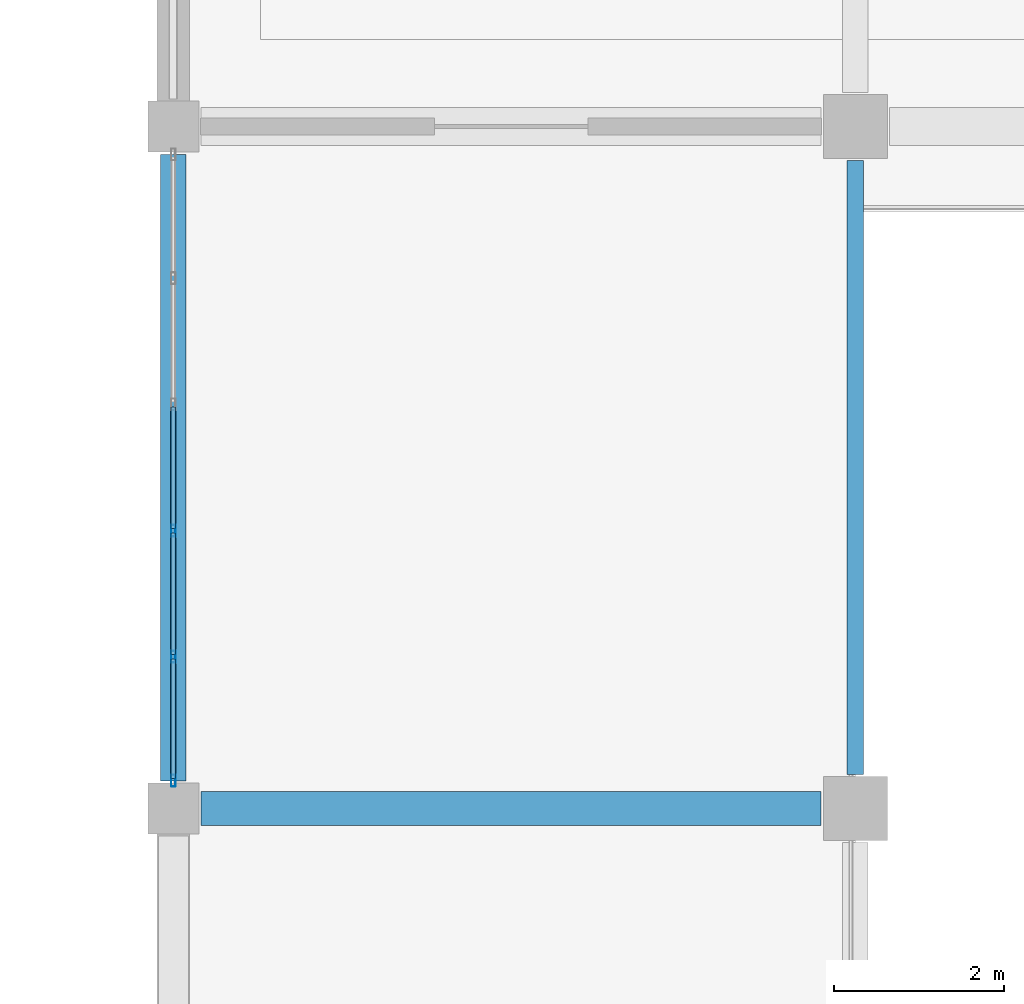
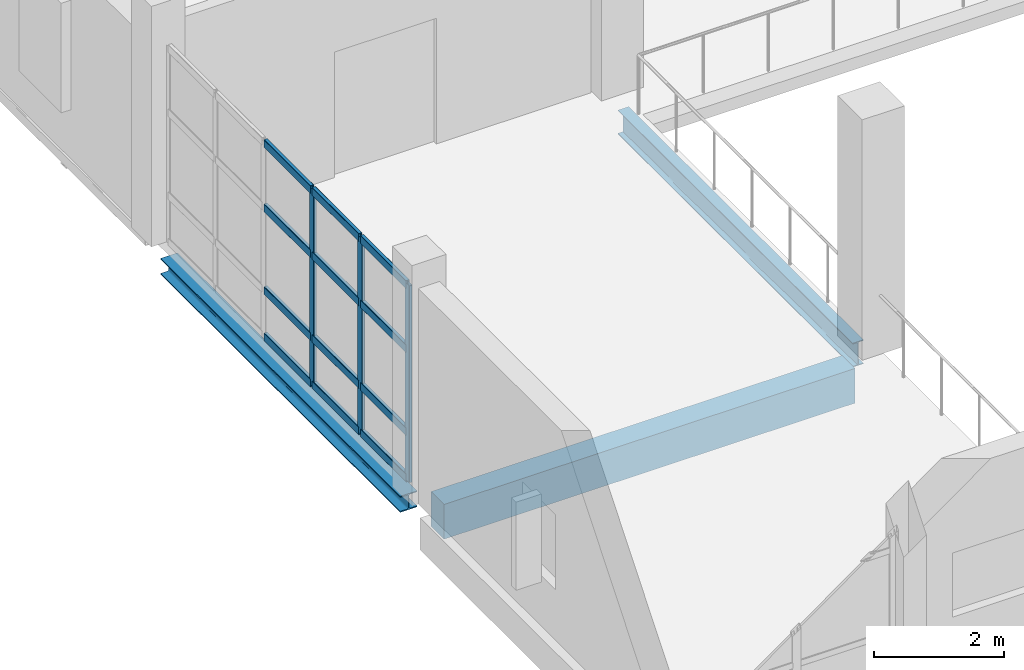
# One storey, part 106 of 183: 15 members, 3 beams, 1 element without a shape of its own.
"""IFC4 building model written with IfcOpenShell, lengths in metres."""

from ifc_helpers import new_model, si_unit, direction, frame, origin, origin_2d, place, context, subcontext, project, spatial, rectangle, hollow_rectangle, i_section, extrude, material, material_profile, profile_set, type_object, element, aggregate, save


model = new_model("IFC4")

# Units and contexts
model_context = context("Model", 3, precision=1e-05, world=origin(), true_north=direction((0.0, 1.0)))
body_context = subcontext(model_context, "Body", "Model", "MODEL_VIEW")
ifc_project = project(units=[si_unit("LENGTHUNIT", "METRE"), si_unit("AREAUNIT", "SQUARE_METRE"), si_unit("VOLUMEUNIT", "CUBIC_METRE"), si_unit("PLANEANGLEUNIT", "RADIAN"), si_unit("MASSUNIT", "GRAM", prefix="KILO")], contexts=[model_context])

# Site, building, storey
site_placement = place(None, origin())
site = spatial("IfcSite", under=ifc_project, at=site_placement, CompositionType="ELEMENT")
building_placement = place(site_placement, origin())
building = spatial("IfcBuilding", under=site, at=building_placement, Name="Luwemba Playhouse", CompositionType="ELEMENT")
storey_placement = place(building_placement, frame((0.0, 0.0, 4.800048828125)))
storey = spatial("IfcBuildingStorey", under=building, at=storey_placement, Name="L01", CompositionType="ELEMENT", Elevation=4.800048828125)

# Beams
ifc_material_1 = material(Name="Concrete C40/50", Category="concrete")
ifc_material_profile_1 = material_profile(ifc_material_1, rectangle(XDim=0.39990234375, YDim=0.64990234375, at=origin_2d()))
ifc_profile_set_1 = profile_set([ifc_material_profile_1], Name="Concrete C40/50")
beam_type_1 = type_object("IfcBeamType", Name="BM-RB02", PredefinedType="BEAM", material=ifc_profile_set_1)
beam_1_placement = place(storey_placement, frame((132.324951171875, 76.0, -0.574951171875), z_axis=(1.0, 0.0, 0.0), x_axis=(0.0, 1.0, 0.0)))
element("IfcBeam", 1, at=beam_1_placement, inside=storey, type_object=beam_type_1, Name="L01 grid girder 0441", PredefinedType="BEAM", context=body_context, shape_type="SweptSolid", body=[
    extrude(rectangle(XDim=0.39990234375, YDim=0.64990234375, at=origin_2d()), origin(), (0.0, 0.0, 1.0), 7.275146484375),
])
ifc_material_2 = material(Name="Steel S355", Category="steel")
ifc_material_profile_2 = material_profile(ifc_material_2, i_section(OverallWidth=0.18994140625, OverallDepth=0.449951171875, WebThickness=0.009521484375, FlangeThickness=0.0146484375, FilletRadius=0.02099609375, at=origin_2d()))
ifc_profile_set_2 = profile_set([ifc_material_profile_2], Name="Steel S355")
beam_type_2 = type_object("IfcBeamType", Name="BM-SB06", PredefinedType="BEAM", material=ifc_profile_set_2)
beam_2_placement = place(storey_placement, frame((140.0, 76.39990234375, -0.47509765625), z_axis=(0.0, 1.0, 0.0), x_axis=(-1.0, 0.0, 0.0)))
element("IfcBeam", 2, at=beam_2_placement, inside=storey, type_object=beam_type_2, Name="L01 transverse girder 0457", PredefinedType="BEAM", context=body_context, shape_type="SweptSolid", body=[
    extrude(i_section(OverallWidth=0.18994140625, OverallDepth=0.449951171875, WebThickness=0.009521484375, FlangeThickness=0.0146484375, FilletRadius=0.02099609375, at=origin_2d()), origin(), (0.0, 0.0, 1.0), 7.2001953125),
])
ifc_material_profile_3 = material_profile(ifc_material_2, i_section(OverallWidth=0.300048828125, OverallDepth=0.300048828125, WebThickness=0.010986328125, FlangeThickness=0.01904296875, FilletRadius=0.027099609375, at=origin_2d()))
ifc_profile_set_3 = profile_set([ifc_material_profile_3], Name="Steel S355")
beam_type_3 = type_object("IfcBeamType", Name="BM-SSP1", PredefinedType="SPANDREL", material=ifc_profile_set_3)
beam_3_placement = place(storey_placement, frame((132.0, 76.324951171875, -0.400146484375), z_axis=(0.0, 1.0, 0.0), x_axis=(-1.0, 0.0, 0.0)))
element("IfcBeam", 3, at=beam_3_placement, inside=storey, type_object=beam_type_3, Name="L01 transverse girder 0454", PredefinedType="SPANDREL", context=body_context, shape_type="SweptSolid", body=[
    extrude(i_section(OverallWidth=0.300048828125, OverallDepth=0.300048828125, WebThickness=0.010986328125, FlangeThickness=0.01904296875, FilletRadius=0.027099609375, at=origin_2d()), origin(), (0.0, 0.0, 1.0), 7.35009765625),
])

# Curtain wall, members
ifc_material_3 = material(Name="Solar-control double glazing", Category="glass")
curtain_wall_type = type_object("IfcCurtainWallType", Name="CW-CW82", PredefinedType="USERDEFINED", material=ifc_material_3)
curtain_wall_placement = place(storey_placement, origin())
curtain_wall = element("IfcCurtainWall", 4, at=curtain_wall_placement, inside=storey, type_object=curtain_wall_type, Name="L01 V4 unitised curtain wall 112", ObjectType="UNITISED GLAZING", PredefinedType="USERDEFINED")
ifc_material_4 = material(Name="Aluminium 6063-T6", Category="aluminium")
ifc_material_profile_4 = material_profile(ifc_material_4, hollow_rectangle(XDim=0.054931640625, YDim=0.139892578125, WallThickness=0.00390625, InnerFilletRadius=0.006103515625, OuterFilletRadius=0.010009765625, at=origin_2d()))
ifc_profile_set_4 = profile_set([ifc_material_profile_4], Name="Aluminium 6063-T6")
member_type_1 = type_object("IfcMemberType", Name="CWM-M3", PredefinedType="MULLION", material=ifc_profile_set_4)
member_1_placement = place(storey_placement, frame((132.0, 76.327392578125, 0.0), z_axis=(0.0, 0.0, 1.0), x_axis=(-1.0, 0.0, 0.0)))
member_1 = element("IfcMember", 5, at=member_1_placement, type_object=member_type_1, Name="CW82 mullion 1", PredefinedType="MULLION", context=body_context, shape_type="SweptSolid", body=[
    extrude(hollow_rectangle(XDim=0.054931640625, YDim=0.139892578125, WallThickness=0.00390625, InnerFilletRadius=0.006103515625, OuterFilletRadius=0.010009765625, at=origin_2d()), origin(), (0.0, 0.0, 1.0), 3.68505859375),
])
member_2_placement = place(storey_placement, frame((132.0, 77.780029296875, 0.0), z_axis=(0.0, 0.0, 1.0), x_axis=(-1.0, 0.0, 0.0)))
member_2 = element("IfcMember", 6, at=member_2_placement, type_object=member_type_1, Name="CW82 mullion 2", PredefinedType="MULLION", context=body_context, shape_type="SweptSolid", body=[
    extrude(hollow_rectangle(XDim=0.054931640625, YDim=0.139892578125, WallThickness=0.00390625, InnerFilletRadius=0.006103515625, OuterFilletRadius=0.010009765625, at=origin_2d()), origin(), (0.0, 0.0, 1.0), 3.68505859375),
])
member_3_placement = place(storey_placement, frame((132.0, 79.260009765625, 0.0), z_axis=(0.0, 0.0, 1.0), x_axis=(-1.0, 0.0, 0.0)))
member_3 = element("IfcMember", 7, at=member_3_placement, type_object=member_type_1, Name="CW82 mullion 3", PredefinedType="MULLION", context=body_context, shape_type="SweptSolid", body=[
    extrude(hollow_rectangle(XDim=0.054931640625, YDim=0.139892578125, WallThickness=0.00390625, InnerFilletRadius=0.006103515625, OuterFilletRadius=0.010009765625, at=origin_2d()), origin(), (0.0, 0.0, 1.0), 3.68505859375),
])
ifc_material_profile_5 = material_profile(ifc_material_4, hollow_rectangle(XDim=0.06494140625, YDim=0.14990234375, WallThickness=0.00390625, InnerFilletRadius=0.006103515625, OuterFilletRadius=0.010009765625, at=origin_2d()))
ifc_profile_set_5 = profile_set([ifc_material_profile_5], Name="Aluminium 6063-T6")
member_type_2 = type_object("IfcMemberType", Name="CWT-T3", PredefinedType="USERDEFINED", material=ifc_profile_set_5)
member_4_placement = place(storey_placement, frame((132.0, 76.35498046875, 0.032470703125), z_axis=(0.0, 1.0, 0.0), x_axis=(-1.0, 0.0, 0.0)))
member_4 = element("IfcMember", 8, at=member_4_placement, type_object=member_type_2, Name="CW82 transom 1.1", ObjectType="TRANSOM", PredefinedType="USERDEFINED", context=body_context, shape_type="SweptSolid", body=[
    extrude(hollow_rectangle(XDim=0.06494140625, YDim=0.14990234375, WallThickness=0.00390625, InnerFilletRadius=0.006103515625, OuterFilletRadius=0.010009765625, at=origin_2d()), origin(), (0.0, 0.0, 1.0), 1.3974609375),
])
member_5_placement = place(storey_placement, frame((132.0, 76.35498046875, 0.89990234375), z_axis=(0.0, 1.0, 0.0), x_axis=(-1.0, 0.0, 0.0)))
member_5 = element("IfcMember", 9, at=member_5_placement, type_object=member_type_2, Name="CW82 transom 1.2", ObjectType="TRANSOM", PredefinedType="USERDEFINED", context=body_context, shape_type="SweptSolid", body=[
    extrude(hollow_rectangle(XDim=0.06494140625, YDim=0.14990234375, WallThickness=0.00390625, InnerFilletRadius=0.006103515625, OuterFilletRadius=0.010009765625, at=origin_2d()), origin(), (0.0, 0.0, 1.0), 1.3974609375),
])
member_6_placement = place(storey_placement, frame((132.0, 76.35498046875, 2.449951171875), z_axis=(0.0, 1.0, 0.0), x_axis=(-1.0, 0.0, 0.0)))
member_6 = element("IfcMember", 10, at=member_6_placement, type_object=member_type_2, Name="CW82 transom 1.3", ObjectType="TRANSOM", PredefinedType="USERDEFINED", context=body_context, shape_type="SweptSolid", body=[
    extrude(hollow_rectangle(XDim=0.06494140625, YDim=0.14990234375, WallThickness=0.00390625, InnerFilletRadius=0.006103515625, OuterFilletRadius=0.010009765625, at=origin_2d()), origin(), (0.0, 0.0, 1.0), 1.3974609375),
])
member_7_placement = place(storey_placement, frame((132.0, 76.35498046875, 3.65234375), z_axis=(0.0, 1.0, 0.0), x_axis=(-1.0, 0.0, 0.0)))
member_7 = element("IfcMember", 11, at=member_7_placement, type_object=member_type_2, Name="CW82 transom 1.4", ObjectType="TRANSOM", PredefinedType="USERDEFINED", context=body_context, shape_type="SweptSolid", body=[
    extrude(hollow_rectangle(XDim=0.06494140625, YDim=0.14990234375, WallThickness=0.00390625, InnerFilletRadius=0.006103515625, OuterFilletRadius=0.010009765625, at=origin_2d()), origin(), (0.0, 0.0, 1.0), 1.3974609375),
])
member_8_placement = place(storey_placement, frame((132.0, 77.8076171875, 0.032470703125), z_axis=(0.0, 1.0, 0.0), x_axis=(-1.0, 0.0, 0.0)))
member_8 = element("IfcMember", 12, at=member_8_placement, type_object=member_type_2, Name="CW82 transom 2.1", ObjectType="TRANSOM", PredefinedType="USERDEFINED", context=body_context, shape_type="SweptSolid", body=[
    extrude(hollow_rectangle(XDim=0.06494140625, YDim=0.14990234375, WallThickness=0.00390625, InnerFilletRadius=0.006103515625, OuterFilletRadius=0.010009765625, at=origin_2d()), origin(), (0.0, 0.0, 1.0), 1.4248046875),
])
member_9_placement = place(storey_placement, frame((132.0, 77.8076171875, 0.89990234375), z_axis=(0.0, 1.0, 0.0), x_axis=(-1.0, 0.0, 0.0)))
member_9 = element("IfcMember", 13, at=member_9_placement, type_object=member_type_2, Name="CW82 transom 2.2", ObjectType="TRANSOM", PredefinedType="USERDEFINED", context=body_context, shape_type="SweptSolid", body=[
    extrude(hollow_rectangle(XDim=0.06494140625, YDim=0.14990234375, WallThickness=0.00390625, InnerFilletRadius=0.006103515625, OuterFilletRadius=0.010009765625, at=origin_2d()), origin(), (0.0, 0.0, 1.0), 1.4248046875),
])
member_10_placement = place(storey_placement, frame((132.0, 77.8076171875, 2.449951171875), z_axis=(0.0, 1.0, 0.0), x_axis=(-1.0, 0.0, 0.0)))
member_10 = element("IfcMember", 14, at=member_10_placement, type_object=member_type_2, Name="CW82 transom 2.3", ObjectType="TRANSOM", PredefinedType="USERDEFINED", context=body_context, shape_type="SweptSolid", body=[
    extrude(hollow_rectangle(XDim=0.06494140625, YDim=0.14990234375, WallThickness=0.00390625, InnerFilletRadius=0.006103515625, OuterFilletRadius=0.010009765625, at=origin_2d()), origin(), (0.0, 0.0, 1.0), 1.4248046875),
])
member_11_placement = place(storey_placement, frame((132.0, 77.8076171875, 3.65234375), z_axis=(0.0, 1.0, 0.0), x_axis=(-1.0, 0.0, 0.0)))
member_11 = element("IfcMember", 15, at=member_11_placement, type_object=member_type_2, Name="CW82 transom 2.4", ObjectType="TRANSOM", PredefinedType="USERDEFINED", context=body_context, shape_type="SweptSolid", body=[
    extrude(hollow_rectangle(XDim=0.06494140625, YDim=0.14990234375, WallThickness=0.00390625, InnerFilletRadius=0.006103515625, OuterFilletRadius=0.010009765625, at=origin_2d()), origin(), (0.0, 0.0, 1.0), 1.4248046875),
])
member_12_placement = place(storey_placement, frame((132.0, 79.28759765625, 0.032470703125), z_axis=(0.0, 1.0, 0.0), x_axis=(-1.0, 0.0, 0.0)))
member_12 = element("IfcMember", 16, at=member_12_placement, type_object=member_type_2, Name="CW82 transom 3.1", ObjectType="TRANSOM", PredefinedType="USERDEFINED", context=body_context, shape_type="SweptSolid", body=[
    extrude(hollow_rectangle(XDim=0.06494140625, YDim=0.14990234375, WallThickness=0.00390625, InnerFilletRadius=0.006103515625, OuterFilletRadius=0.010009765625, at=origin_2d()), origin(), (0.0, 0.0, 1.0), 1.4248046875),
])
member_13_placement = place(storey_placement, frame((132.0, 79.28759765625, 0.89990234375), z_axis=(0.0, 1.0, 0.0), x_axis=(-1.0, 0.0, 0.0)))
member_13 = element("IfcMember", 17, at=member_13_placement, type_object=member_type_2, Name="CW82 transom 3.2", ObjectType="TRANSOM", PredefinedType="USERDEFINED", context=body_context, shape_type="SweptSolid", body=[
    extrude(hollow_rectangle(XDim=0.06494140625, YDim=0.14990234375, WallThickness=0.00390625, InnerFilletRadius=0.006103515625, OuterFilletRadius=0.010009765625, at=origin_2d()), origin(), (0.0, 0.0, 1.0), 1.4248046875),
])
member_14_placement = place(storey_placement, frame((132.0, 79.28759765625, 2.449951171875), z_axis=(0.0, 1.0, 0.0), x_axis=(-1.0, 0.0, 0.0)))
member_14 = element("IfcMember", 18, at=member_14_placement, type_object=member_type_2, Name="CW82 transom 3.3", ObjectType="TRANSOM", PredefinedType="USERDEFINED", context=body_context, shape_type="SweptSolid", body=[
    extrude(hollow_rectangle(XDim=0.06494140625, YDim=0.14990234375, WallThickness=0.00390625, InnerFilletRadius=0.006103515625, OuterFilletRadius=0.010009765625, at=origin_2d()), origin(), (0.0, 0.0, 1.0), 1.4248046875),
])
member_15_placement = place(storey_placement, frame((132.0, 79.28759765625, 3.65234375), z_axis=(0.0, 1.0, 0.0), x_axis=(-1.0, 0.0, 0.0)))
member_15 = element("IfcMember", 19, at=member_15_placement, type_object=member_type_2, Name="CW82 transom 3.4", ObjectType="TRANSOM", PredefinedType="USERDEFINED", context=body_context, shape_type="SweptSolid", body=[
    extrude(hollow_rectangle(XDim=0.06494140625, YDim=0.14990234375, WallThickness=0.00390625, InnerFilletRadius=0.006103515625, OuterFilletRadius=0.010009765625, at=origin_2d()), origin(), (0.0, 0.0, 1.0), 1.4248046875),
])
aggregate(curtain_wall, [member_1, member_2, member_3, member_4, member_5, member_6, member_7, member_8, member_9, member_10, member_11, member_12, member_13, member_14, member_15])

save(model, "model.ifc")
